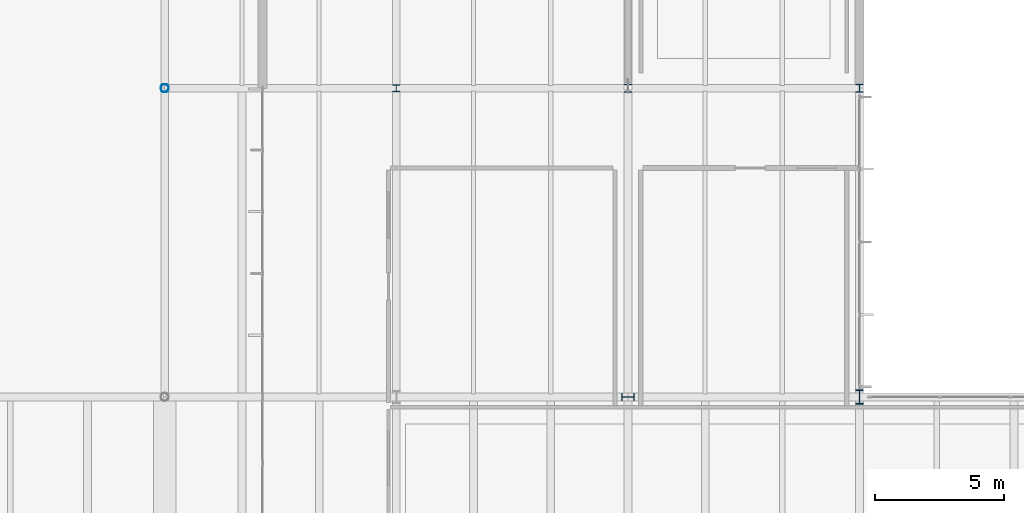
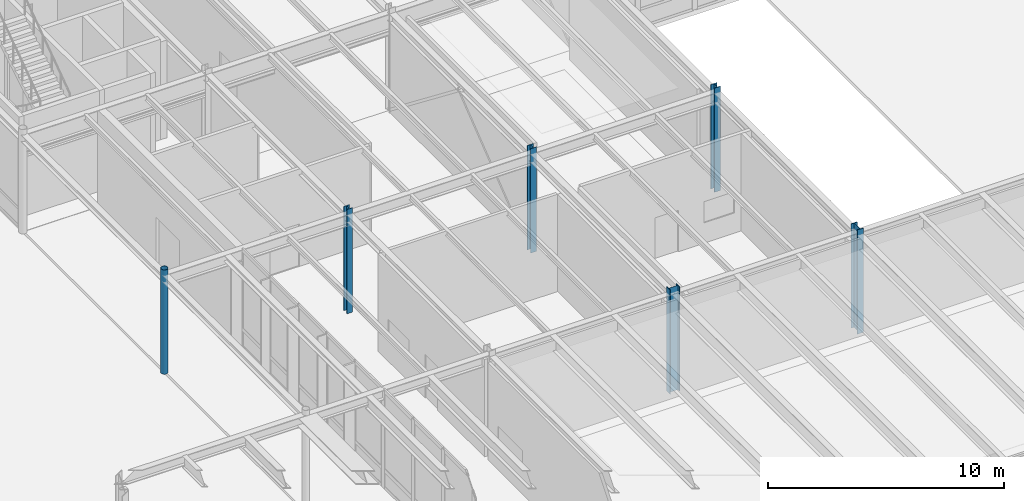
# One storey, part 7 of 143: 6 columns.
"""IFC4 building model written with IfcOpenShell, lengths in metres."""

from ifc_helpers import new_model, si_unit, direction, frame, origin, origin_2d, place, context, subcontext, project, spatial, hollow_circle, i_section, extrude, material, material_profile, profile_set, type_object, element, save


model = new_model("IFC4")

# Units and contexts
model_context = context("Model", 3, precision=1e-05, world=origin(), true_north=direction((0.0, 1.0)))
body_context = subcontext(model_context, "Body", "Model", "MODEL_VIEW")
ifc_project = project(units=[si_unit("LENGTHUNIT", "METRE"), si_unit("AREAUNIT", "SQUARE_METRE"), si_unit("VOLUMEUNIT", "CUBIC_METRE"), si_unit("PLANEANGLEUNIT", "RADIAN"), si_unit("MASSUNIT", "GRAM", prefix="KILO")], contexts=[model_context])

# Site, building, storey
site_placement = place(None, origin())
site = spatial("IfcSite", under=ifc_project, at=site_placement, CompositionType="ELEMENT")
building_placement = place(site_placement, origin())
building = spatial("IfcBuilding", under=site, at=building_placement, Name="Montelvaro Courts of Justice", CompositionType="ELEMENT")
storey_placement = place(building_placement, origin())
storey = spatial("IfcBuildingStorey", under=building, at=storey_placement, Name="L00", CompositionType="ELEMENT", Elevation=0.0)

# Columns
ifc_material = material(Name="Steel S355", Category="steel")
ifc_material_profile_1 = material_profile(ifc_material, hollow_circle(Radius=0.161865234375, WallThickness=0.012451171875, at=origin_2d()), Name="CHS 323.9x12.5")
ifc_profile_set_1 = profile_set([ifc_material_profile_1], Name="Steel S355")
column_type_1 = type_object("IfcColumnType", Name="Col_CHS324", PredefinedType="PILASTER", material=ifc_profile_set_1)
column_1_placement = place(storey_placement, frame((99.0, 54.0, 0.0), z_axis=(0.0, 0.0, 1.0), x_axis=(1.0, 0.0, 0.0)))
element("IfcColumn", 1, at=column_1_placement, inside=storey, type_object=column_type_1, Name="Column C-18 L00 12/E", PredefinedType="PILASTER", context=body_context, shape_type="SweptSolid", body=[
    extrude(hollow_circle(Radius=0.161865234375, WallThickness=0.012451171875, at=origin_2d()), origin(), (0.0, 0.0, 1.0), 5.39990234375),
])
ifc_material_profile_2 = material_profile(ifc_material, i_section(OverallWidth=0.280029296875, OverallDepth=0.280029296875, WebThickness=0.010498046875, FlangeThickness=0.01806640625, at=origin_2d()), Name="HEB 280")
ifc_profile_set_2 = profile_set([ifc_material_profile_2], Name="Steel S355")
column_type_2 = type_object("IfcColumnType", Name="Col_HEB280", PredefinedType="COLUMN", material=ifc_profile_set_2)
column_2_placement = place(storey_placement, frame((108.0, 54.0, 0.0), z_axis=(0.0, 0.0, 1.0), x_axis=(1.0, 0.0, 0.0)))
element("IfcColumn", 2, at=column_2_placement, inside=storey, type_object=column_type_2, Name="Column C-02 L00 13/E", PredefinedType="COLUMN", context=body_context, shape_type="SweptSolid", body=[
    extrude(i_section(OverallWidth=0.280029296875, OverallDepth=0.280029296875, WebThickness=0.010498046875, FlangeThickness=0.01806640625, at=origin_2d()), origin(), (0.0, 0.0, 1.0), 5.39990234375),
])
ifc_material_profile_3 = material_profile(ifc_material, i_section(OverallWidth=0.300048828125, OverallDepth=0.300048828125, WebThickness=0.010986328125, FlangeThickness=0.01904296875, at=origin_2d()), Name="HEB 300")
ifc_profile_set_3 = profile_set([ifc_material_profile_3], Name="Steel S355")
column_type_3 = type_object("IfcColumnType", Name="Col_HEB300", PredefinedType="COLUMN", material=ifc_profile_set_3)
column_3_placement = place(storey_placement, frame((117.0, 54.0, 0.0), z_axis=(0.0, 0.0, 1.0), x_axis=(1.0, 0.0, 0.0)))
element("IfcColumn", 3, at=column_3_placement, inside=storey, type_object=column_type_3, Name="Column C-03 L00 14/E", PredefinedType="COLUMN", context=body_context, shape_type="SweptSolid", body=[
    extrude(i_section(OverallWidth=0.300048828125, OverallDepth=0.300048828125, WebThickness=0.010986328125, FlangeThickness=0.01904296875, at=origin_2d()), origin(), (0.0, 0.0, 1.0), 5.39990234375),
])
ifc_material_profile_4 = material_profile(ifc_material, i_section(OverallWidth=0.300048828125, OverallDepth=0.320068359375, WebThickness=0.011474609375, FlangeThickness=0.0205078125, at=origin_2d()), Name="HEB 320")
ifc_profile_set_4 = profile_set([ifc_material_profile_4], Name="Steel S355")
column_type_4 = type_object("IfcColumnType", Name="Col_HEB320", PredefinedType="COLUMN", material=ifc_profile_set_4)
column_4_placement = place(storey_placement, frame((126.0, 54.0, 0.0), z_axis=(0.0, 0.0, 1.0), x_axis=(1.0, 0.0, 0.0)))
element("IfcColumn", 4, at=column_4_placement, inside=storey, type_object=column_type_4, Name="Column C-04 L00 15/E", PredefinedType="COLUMN", context=body_context, shape_type="SweptSolid", body=[
    extrude(i_section(OverallWidth=0.300048828125, OverallDepth=0.320068359375, WebThickness=0.011474609375, FlangeThickness=0.0205078125, at=origin_2d()), origin(), (0.0, 0.0, 1.0), 5.39990234375),
])
ifc_material_profile_5 = material_profile(ifc_material, i_section(OverallWidth=0.300048828125, OverallDepth=0.5, WebThickness=0.014404296875, FlangeThickness=0.028076171875, at=origin_2d()), Name="HEB 500")
ifc_profile_set_5 = profile_set([ifc_material_profile_5], Name="Steel S355")
column_type_5 = type_object("IfcColumnType", Name="Col_HEB500", PredefinedType="COLUMN", material=ifc_profile_set_5)
column_5_placement = place(storey_placement, frame((117.0, 42.0, 0.0), z_axis=(0.0, 0.0, 1.0), x_axis=(0.0, 1.0, 0.0)))
element("IfcColumn", 5, at=column_5_placement, inside=storey, type_object=column_type_5, Name="Column C-09 L00 14/D", PredefinedType="COLUMN", context=body_context, shape_type="SweptSolid", body=[
    extrude(i_section(OverallWidth=0.300048828125, OverallDepth=0.5, WebThickness=0.014404296875, FlangeThickness=0.028076171875, at=origin_2d()), origin(), (0.0, 0.0, 1.0), 5.39990234375),
])
ifc_material_profile_6 = material_profile(ifc_material, i_section(OverallWidth=0.300048828125, OverallDepth=0.550048828125, WebThickness=0.014892578125, FlangeThickness=0.029052734375, at=origin_2d()), Name="HEB 550")
ifc_profile_set_6 = profile_set([ifc_material_profile_6], Name="Steel S355")
column_type_6 = type_object("IfcColumnType", Name="Col_HEB550", PredefinedType="COLUMN", material=ifc_profile_set_6)
column_6_placement = place(storey_placement, frame((126.0, 42.0, 0.0), z_axis=(0.0, 0.0, 1.0), x_axis=(1.0, 0.0, 0.0)))
element("IfcColumn", 6, at=column_6_placement, inside=storey, type_object=column_type_6, Name="Column C-10 L00 15/D", PredefinedType="COLUMN", context=body_context, shape_type="SweptSolid", body=[
    extrude(i_section(OverallWidth=0.300048828125, OverallDepth=0.550048828125, WebThickness=0.014892578125, FlangeThickness=0.029052734375, at=origin_2d()), origin(), (0.0, 0.0, 1.0), 5.39990234375),
])

save(model, "model.ifc")
